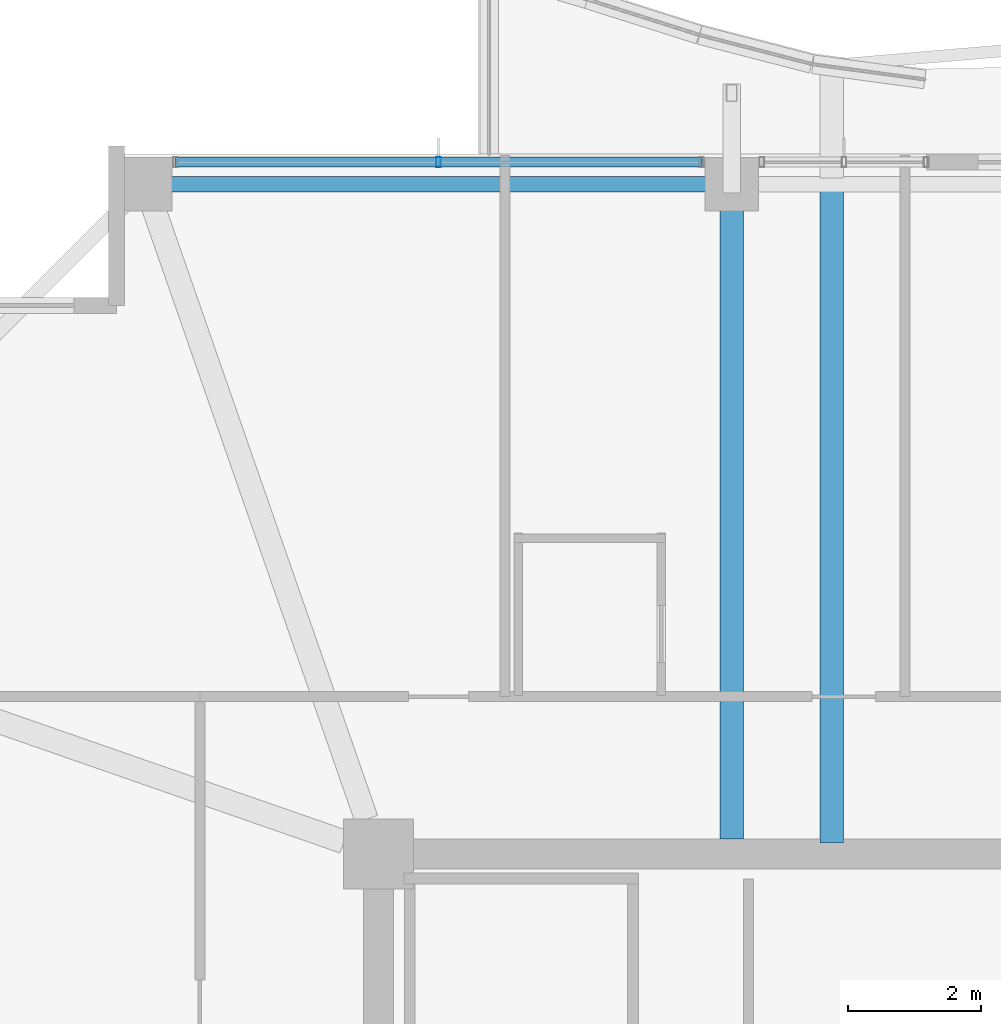
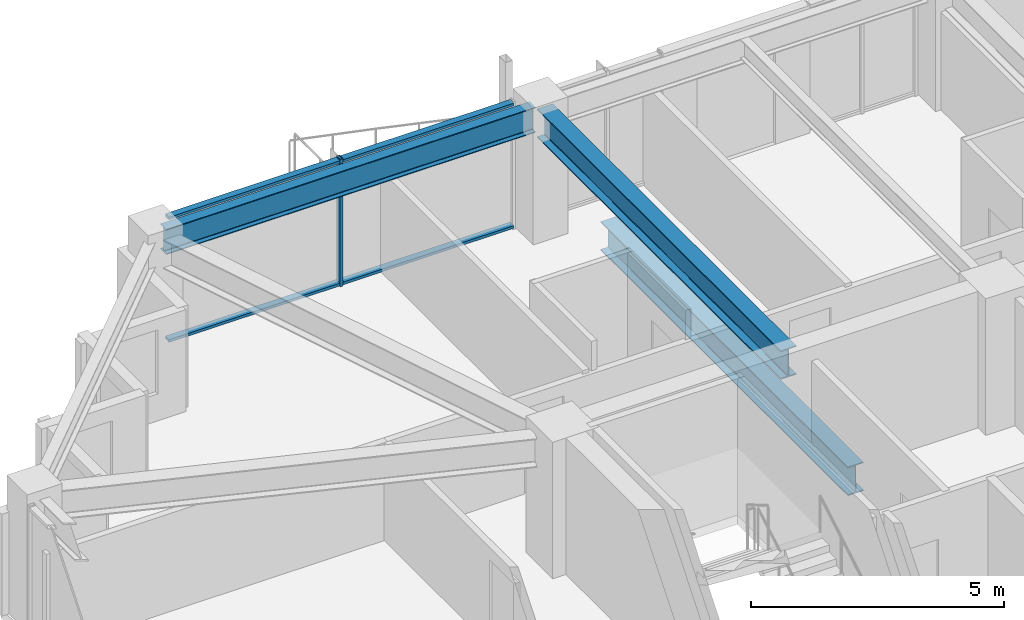
# One storey, part 18 of 38: 3 beams, 3 members, 1 element without a shape of its own.
"""IFC4 building model written with IfcOpenShell, lengths in metres."""

from ifc_helpers import new_model, si_unit, direction, frame, origin, origin_2d, place, context, subcontext, project, spatial, hollow_rectangle, i_section, extrude, material, material_profile, profile_set, type_object, element, aggregate, save


model = new_model("IFC4")

# Units and contexts
model_context = context("Model", 3, precision=1e-05, world=origin(), true_north=direction((0.0, 1.0)))
body_context = subcontext(model_context, "Body", "Model", "MODEL_VIEW")
ifc_project = project(units=[si_unit("LENGTHUNIT", "METRE"), si_unit("AREAUNIT", "SQUARE_METRE"), si_unit("VOLUMEUNIT", "CUBIC_METRE"), si_unit("PLANEANGLEUNIT", "RADIAN"), si_unit("MASSUNIT", "GRAM", prefix="KILO")], contexts=[model_context])

# Site, building, storey
site_placement = place(None, origin())
site = spatial("IfcSite", under=ifc_project, at=site_placement, CompositionType="ELEMENT")
building_placement = place(site_placement, origin())
building = spatial("IfcBuilding", under=site, at=building_placement, Name="Kolvaren Belvedere", CompositionType="ELEMENT")
storey_placement = place(building_placement, frame((0.0, 0.0, 213.0)))
storey = spatial("IfcBuildingStorey", under=building, at=storey_placement, Name="L62", CompositionType="ELEMENT", Elevation=213.0)

# Beams
ifc_material_1 = material(Name="Structural steel ASTM A992 Grade 50", Category="steel")
ifc_material_profile_1 = material_profile(ifc_material_1, i_section(OverallWidth=0.35498046875, OverallDepth=0.696044921875, WebThickness=0.015380859375, FlangeThickness=0.02490234375, FilletRadius=0.02197265625, at=origin_2d()), Name="W27X146")
ifc_profile_set_1 = profile_set([ifc_material_profile_1], Name="Structural steel ASTM A992 Grade 50")
beam_type_1 = type_object("IfcBeamType", Name="BM-GIRD-W27X146", PredefinedType="BEAM", material=ifc_profile_set_1)
beam_1_placement = place(storey_placement, frame((-3.10009765625, 10.06494140625, -0.568115234375), z_axis=(0.0, 1.0, 0.0), x_axis=(-1.0, 0.0, 0.0)))
element("IfcBeam", 1, at=beam_1_placement, inside=storey, type_object=beam_type_1, Name="L62 Balcony Interior Back-Span Girder BAL-N-1", PredefinedType="BEAM", context=body_context, shape_type="SweptSolid", body=[
    extrude(i_section(OverallWidth=0.35498046875, OverallDepth=0.696044921875, WebThickness=0.015380859375, FlangeThickness=0.02490234375, FilletRadius=0.02197265625, at=origin_2d()), origin(), (0.0, 0.0, 1.0), 9.7900390625),
])
beam_2_placement = place(storey_placement, frame((-4.60009765625, 10.125, 2.73193359375), z_axis=(0.0, 1.0, 0.0), x_axis=(-1.0, 0.0, 0.0)))
element("IfcBeam", 2, at=beam_2_placement, inside=storey, type_object=beam_type_1, Name="L62 North Radial Girder M", PredefinedType="BEAM", context=body_context, shape_type="SweptSolid", body=[
    extrude(i_section(OverallWidth=0.35498046875, OverallDepth=0.696044921875, WebThickness=0.015380859375, FlangeThickness=0.02490234375, FilletRadius=0.02197265625, at=origin_2d()), origin(), (0.0, 0.0, 1.0), 9.64501953125),
])
ifc_material_2 = material(Name="Structural steel ASTM A992 Grade 50", Category="steel")
ifc_material_profile_2 = material_profile(ifc_material_2, i_section(OverallWidth=0.22900390625, OverallDepth=0.612060546875, WebThickness=0.011962890625, FlangeThickness=0.01953125, FilletRadius=0.01806640625, at=origin_2d()), Name="W24X84")
ifc_profile_set_2 = profile_set([ifc_material_profile_2], Name="Structural steel ASTM A992 Grade 50")
beam_type_2 = type_object("IfcBeamType", Name="BM-SPAN-W24X84", PredefinedType="SPANDREL", material=ifc_profile_set_2)
beam_3_placement = place(storey_placement, frame((-4.780029296875, 19.949951171875, 2.77392578125), z_axis=(-1.0, 0.0, 0.0), x_axis=(0.0, -1.0, 0.0)))
element("IfcBeam", 3, at=beam_3_placement, inside=storey, type_object=beam_type_2, Name="L62 Perimeter Spandrel N2-N1", PredefinedType="SPANDREL", context=body_context, shape_type="SweptSolid", body=[
    extrude(i_section(OverallWidth=0.22900390625, OverallDepth=0.612060546875, WebThickness=0.011962890625, FlangeThickness=0.01953125, FilletRadius=0.01806640625, at=origin_2d()), origin(), (0.0, 0.0, 1.0), 8.43994140625),
])

# Curtain wall, members
ifc_material_3 = material(Name="Anodised pale-metal aluminium AA 6063-T6", Category="aluminium")
curtain_wall_type = type_object("IfcCurtainWallType", Name="CW-Z5-HIGH", PredefinedType="NOTDEFINED", material=ifc_material_3)
curtain_wall_placement = place(storey_placement, origin())
curtain_wall = element("IfcCurtainWall", 4, at=curtain_wall_placement, inside=storey, type_object=curtain_wall_type, Name="L62 Unitised Curtain Wall FCW-L62-N1-B1", PredefinedType="NOTDEFINED")
ifc_material_4 = material(Name="Anodised pale-metal aluminium AA 6063-T6", Category="aluminium")
ifc_material_profile_3 = material_profile(ifc_material_4, hollow_rectangle(XDim=0.070068359375, YDim=0.14990234375, WallThickness=0.004150390625, at=origin_2d()), Name="ALU-MUL-150X70")
ifc_profile_set_3 = profile_set([ifc_material_profile_3], Name="Anodised pale-metal aluminium AA 6063-T6")
member_type_1 = type_object("IfcMemberType", Name="CW-MUL-150", PredefinedType="MULLION", material=ifc_profile_set_3)
member_1_placement = place(storey_placement, frame((-9.0, 20.280029296875, 0.0), z_axis=(0.0, 0.0, 1.0), x_axis=(1.0, 0.0, 0.0)))
member_1 = element("IfcMember", 5, at=member_1_placement, type_object=member_type_1, Name="FCW-L62-N1-B1 Unitised Mullion 2", PredefinedType="MULLION", context=body_context, shape_type="SweptSolid", body=[
    extrude(hollow_rectangle(XDim=0.070068359375, YDim=0.14990234375, WallThickness=0.004150390625, at=origin_2d()), origin(), (0.0, 0.0, 1.0), 3.080078125),
])
ifc_material_5 = material(Name="Anodised pale-metal aluminium AA 6063-T6", Category="aluminium")
ifc_material_profile_4 = material_profile(ifc_material_5, hollow_rectangle(XDim=0.06494140625, YDim=0.14990234375, WallThickness=0.00390625, at=origin_2d()), Name="ALU-TRN-150X65")
ifc_profile_set_4 = profile_set([ifc_material_profile_4], Name="Anodised pale-metal aluminium AA 6063-T6")
member_type_2 = type_object("IfcMemberType", Name="CW-TRN-150", PredefinedType="USERDEFINED", material=ifc_profile_set_4)
member_2_placement = place(storey_placement, frame((-12.945068359375, 20.280029296875, 0.06005859375), z_axis=(1.0, 0.0, 0.0), x_axis=(0.0, 0.0, 1.0)))
member_2 = element("IfcMember", 6, at=member_2_placement, type_object=member_type_2, Name="FCW-L62-N1-B1 Sill Transom", ObjectType="TRANSOM", PredefinedType="USERDEFINED", context=body_context, shape_type="SweptSolid", body=[
    extrude(hollow_rectangle(XDim=0.06494140625, YDim=0.14990234375, WallThickness=0.00390625, at=origin_2d()), origin(), (0.0, 0.0, 1.0), 7.89013671875),
])
member_3_placement = place(storey_placement, frame((-12.945068359375, 20.280029296875, 3.02001953125), z_axis=(1.0, 0.0, 0.0), x_axis=(0.0, 0.0, 1.0)))
member_3 = element("IfcMember", 7, at=member_3_placement, type_object=member_type_2, Name="FCW-L62-N1-B1 Head Transom", ObjectType="TRANSOM", PredefinedType="USERDEFINED", context=body_context, shape_type="SweptSolid", body=[
    extrude(hollow_rectangle(XDim=0.06494140625, YDim=0.14990234375, WallThickness=0.00390625, at=origin_2d()), origin(), (0.0, 0.0, 1.0), 7.89013671875),
])
aggregate(curtain_wall, [member_1, member_2, member_3])

save(model, "model.ifc")
